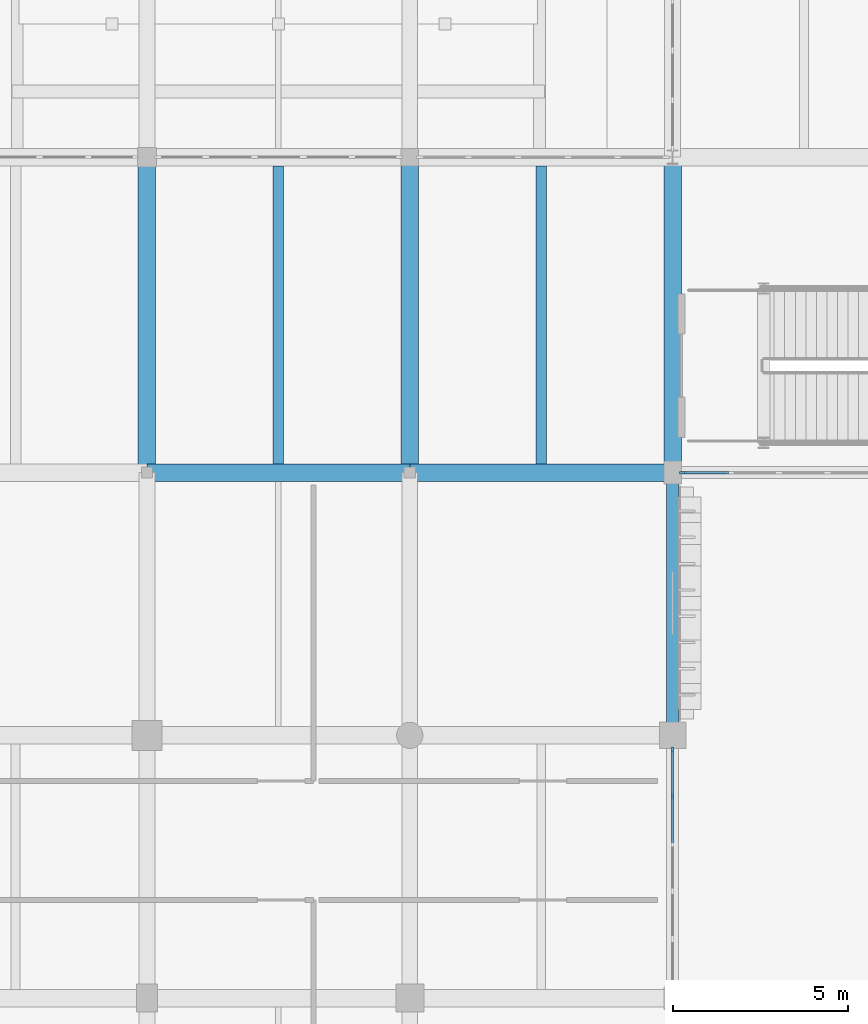
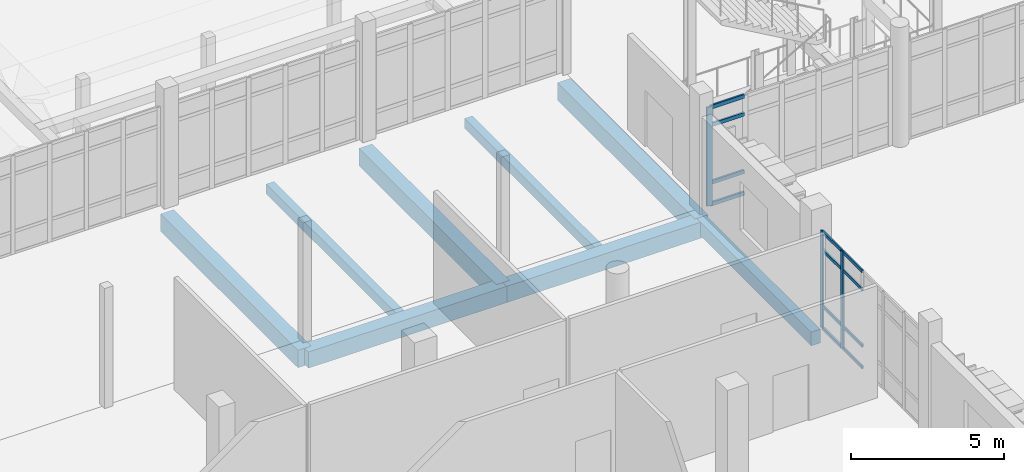
# One storey, part 20 of 125: 15 members, 8 beams, 2 elements without a shape of their own.
"""IFC4 building model written with IfcOpenShell, lengths in metres."""

from ifc_helpers import new_model, si_unit, direction, frame, origin, origin_2d, place, context, subcontext, project, spatial, rectangle, extrude, material, layer, layer_set, material_profile, profile_set, type_object, element, aggregate, save


model = new_model("IFC4")

# Units and contexts
model_context = context("Model", 3, precision=1e-05, world=origin(), true_north=direction((0.0, 1.0)))
body_context = subcontext(model_context, "Body", "Model", "MODEL_VIEW")
ifc_project = project(units=[si_unit("LENGTHUNIT", "METRE"), si_unit("AREAUNIT", "SQUARE_METRE"), si_unit("VOLUMEUNIT", "CUBIC_METRE"), si_unit("PLANEANGLEUNIT", "RADIAN"), si_unit("MASSUNIT", "GRAM", prefix="KILO")], contexts=[model_context])

# Site, building, storey
site_placement = place(None, origin())
site = spatial("IfcSite", under=ifc_project, at=site_placement, CompositionType="ELEMENT")
building_placement = place(site_placement, origin())
building = spatial("IfcBuilding", under=site, at=building_placement, Name="Dalvernix Boulevard General Hospital", CompositionType="ELEMENT")
storey_placement = place(building_placement, origin())
storey = spatial("IfcBuildingStorey", under=building, at=storey_placement, Name="L00", CompositionType="ELEMENT", Elevation=0.0)

# Beams
ifc_material_1 = material(Name="Concrete C35/45", Category="concrete")
ifc_material_profile_1 = material_profile(ifc_material_1, rectangle(XDim=0.5, YDim=0.699951171875, at=origin_2d()), Name="RCB 500x700")
ifc_profile_set_1 = profile_set([ifc_material_profile_1], Name="Concrete C35/45")
beam_type_1 = type_object("IfcBeamType", Name="BM-B-01-I", PredefinedType="BEAM", material=ifc_profile_set_1)
for number, where, z_axis, x_axis, name in (
    (1, (45.0, 22.5, -0.7099609375), (0.0, 1.0, 0.0), (-1.0, 0.0, 0.0), "L00 N-S girder 7:D-E"),
    (2, (52.5, 22.5, -0.7099609375), (0.0, 1.0, 0.0), (-1.0, 0.0, 0.0), "L00 N-S girder 8:D-E"),
    (3, (60.0, 22.5, -0.7099609375), (0.0, 1.0, 0.0), (-1.0, 0.0, 0.0), "L00 N-S girder 9:D-E"),
):
    element("IfcBeam", number, at=place(storey_placement, frame(where, z_axis=z_axis, x_axis=x_axis)), inside=storey, type_object=beam_type_1, Name=name, PredefinedType="BEAM", context=body_context, shape_type="SweptSolid", body=[
        extrude(rectangle(XDim=0.5, YDim=0.699951171875, at=origin_2d()), origin(), (0.0, 0.0, 1.0), 9.0),
    ])
ifc_material_profile_2 = material_profile(ifc_material_1, rectangle(XDim=0.5, YDim=0.64990234375, at=origin_2d()), Name="RCB 500x650")
ifc_profile_set_2 = profile_set([ifc_material_profile_2], Name="Concrete C35/45")
beam_type_2 = type_object("IfcBeamType", Name="BM-B-02-I", PredefinedType="BEAM", material=ifc_profile_set_2)
for number, where, z_axis, x_axis, name in (
    (4, (45.0, 22.5, -0.68505859375), (1.0, 0.0, 0.0), (0.0, 1.0, 0.0), "L00 E-W girder D:7-8"),
    (5, (52.5, 22.5, -0.68505859375), (1.0, 0.0, 0.0), (0.0, 1.0, 0.0), "L00 E-W girder D:8-9"),
):
    element("IfcBeam", number, at=place(storey_placement, frame(where, z_axis=z_axis, x_axis=x_axis)), inside=storey, type_object=beam_type_2, Name=name, PredefinedType="BEAM", context=body_context, shape_type="SweptSolid", body=[
        extrude(rectangle(XDim=0.5, YDim=0.64990234375, at=origin_2d()), origin(), (0.0, 0.0, 1.0), 7.5),
    ])
ifc_material_profile_3 = material_profile(ifc_material_1, rectangle(XDim=0.300048828125, YDim=0.39990234375, at=origin_2d()), Name="RCB 300x400")
ifc_profile_set_3 = profile_set([ifc_material_profile_3], Name="Concrete C35/45")
beam_type_3 = type_object("IfcBeamType", Name="BM-JB-01", PredefinedType="JOIST", material=ifc_profile_set_3)
for number, where, z_axis, x_axis, name in (
    (6, (48.75, 22.75, -0.56005859375), (0.0, 1.0, 0.0), (-1.0, 0.0, 0.0), "L00 secondary floor beam 7-D"),
    (7, (56.25, 22.75, -0.56005859375), (0.0, 1.0, 0.0), (-1.0, 0.0, 0.0), "L00 secondary floor beam 8-D"),
):
    element("IfcBeam", number, at=place(storey_placement, frame(where, z_axis=z_axis, x_axis=x_axis)), inside=storey, type_object=beam_type_3, Name=name, PredefinedType="JOIST", context=body_context, shape_type="SweptSolid", body=[
        extrude(rectangle(XDim=0.300048828125, YDim=0.39990234375, at=origin_2d()), origin(), (0.0, 0.0, 1.0), 8.5),
    ])
ifc_material_profile_4 = material_profile(ifc_material_1, rectangle(XDim=0.35009765625, YDim=0.550048828125, at=origin_2d()), Name="RCB 350x550")
ifc_profile_set_4 = profile_set([ifc_material_profile_4], Name="Concrete C35/45")
beam_type_4 = type_object("IfcBeamType", Name="BM-SB-01-E", PredefinedType="SPANDREL", material=ifc_profile_set_4)
beam_placement = place(storey_placement, frame((60.0, 15.0, -0.635009765625), z_axis=(0.0, 1.0, 0.0), x_axis=(-1.0, 0.0, 0.0)))
element("IfcBeam", 8, at=beam_placement, inside=storey, type_object=beam_type_4, Name="L00 N-S girder 9:C-D", PredefinedType="SPANDREL", context=body_context, shape_type="SweptSolid", body=[
    extrude(rectangle(XDim=0.35009765625, YDim=0.550048828125, at=origin_2d()), origin(), (0.0, 0.0, 1.0), 7.5),
])

# Curtain wall, members
ifc_material_2 = material(Name="Thermally broken aluminium and solar-control glass curtain wall", Category="aluminium")
ifc_layer_1 = layer(ifc_material_2, 0.159912109375)
ifc_layer_set_1 = layer_set([ifc_layer_1], Name="Thermally broken aluminium and solar-control glass curtain wall (CW-CW-A-68x39)")
curtain_wall_type_1 = type_object("IfcCurtainWallType", Name="CW-CW-A-68x39", PredefinedType="USERDEFINED", material=ifc_layer_set_1)
curtain_wall_1_placement = place(storey_placement, origin())
curtain_wall_1 = element("IfcCurtainWall", 9, at=curtain_wall_1_placement, inside=storey, type_object=curtain_wall_type_1, Name="L00 curtain wall CW-A-68x39 8-1", ObjectType="GLAZED FACADE", PredefinedType="USERDEFINED")
ifc_material_3 = material(Name="Aluminium EN AW-6060", Category="aluminium")
ifc_material_profile_5 = material_profile(ifc_material_3, rectangle(XDim=0.06005859375, YDim=0.159912109375, at=origin_2d()), Name="ALU MULL 60x160")
ifc_profile_set_5 = profile_set([ifc_material_profile_5], Name="Aluminium EN AW-6060")
member_type_1 = type_object("IfcMemberType", Name="MEM-CW-M1", PredefinedType="MULLION", material=ifc_profile_set_5)
member_1_placement = place(storey_placement, frame((60.0, 14.5849609375, 0.0), z_axis=(0.0, 0.0, 1.0), x_axis=(1.0, 0.0, 0.0)))
member_1 = element("IfcMember", 10, at=member_1_placement, type_object=member_type_1, Name="CW-A-68x39 mullion 1", PredefinedType="MULLION", context=body_context, shape_type="SweptSolid", body=[
    extrude(rectangle(XDim=0.06005859375, YDim=0.159912109375, at=origin_2d()), origin(), (0.0, 0.0, 1.0), 3.89990234375),
])
member_2_placement = place(storey_placement, frame((60.0, 13.259033203125, 0.0), z_axis=(0.0, 0.0, 1.0), x_axis=(1.0, 0.0, 0.0)))
member_2 = element("IfcMember", 11, at=member_2_placement, type_object=member_type_1, Name="CW-A-68x39 mullion 2", PredefinedType="MULLION", context=body_context, shape_type="SweptSolid", body=[
    extrude(rectangle(XDim=0.06005859375, YDim=0.159912109375, at=origin_2d()), origin(), (0.0, 0.0, 1.0), 3.89990234375),
])

# Curtain wall, member
ifc_layer_2 = layer(ifc_material_2, 0.199951171875)
ifc_layer_set_2 = layer_set([ifc_layer_2], Name="Thermally broken aluminium and solar-control glass curtain wall (CW-CW-C-69x40)")
curtain_wall_type_2 = type_object("IfcCurtainWallType", Name="CW-CW-C-69x40", PredefinedType="USERDEFINED", material=ifc_layer_set_2)
curtain_wall_2_placement = place(storey_placement, origin())
curtain_wall_2 = element("IfcCurtainWall", 12, at=curtain_wall_2_placement, inside=storey, type_object=curtain_wall_type_2, Name="L00 curtain wall CW-C-69x40 8-3", ObjectType="GLAZED FACADE", PredefinedType="USERDEFINED")
ifc_material_profile_6 = material_profile(ifc_material_3, rectangle(XDim=0.070068359375, YDim=0.199951171875, at=origin_2d()), Name="ALU MULL 70x200")
ifc_profile_set_6 = profile_set([ifc_material_profile_6], Name="Aluminium EN AW-6060")
member_type_2 = type_object("IfcMemberType", Name="MEM-CW-M3", PredefinedType="MULLION", material=ifc_profile_set_6)
member_3_placement = place(storey_placement, frame((60.294921875, 22.5, 0.0), z_axis=(0.0, 0.0, 1.0), x_axis=(0.0, -1.0, 0.0)))
member_3 = element("IfcMember", 13, at=member_3_placement, type_object=member_type_2, Name="CW-C-69x40 mullion 6", PredefinedType="MULLION", context=body_context, shape_type="SweptSolid", body=[
    extrude(rectangle(XDim=0.070068359375, YDim=0.199951171875, at=origin_2d()), origin(), (0.0, 0.0, 1.0), 3.949951171875),
])

# Member
ifc_material_profile_7 = material_profile(ifc_material_3, rectangle(XDim=0.06005859375, YDim=0.1201171875, at=origin_2d()), Name="ALU TRAN 60x120")
ifc_profile_set_7 = profile_set([ifc_material_profile_7], Name="Aluminium EN AW-6060")
member_type_3 = type_object("IfcMemberType", Name="MEM-CW-T1", PredefinedType="USERDEFINED", material=ifc_profile_set_7)
member_4_placement = place(storey_placement, frame((60.0, 14.554931640625, 0.030029296875), z_axis=(0.0, -1.0, 0.0), x_axis=(1.0, 0.0, 0.0)))
member_4 = element("IfcMember", 14, at=member_4_placement, type_object=member_type_3, Name="CW-A-68x39 transom 1.1", ObjectType="TRANSOM", PredefinedType="USERDEFINED", context=body_context, shape_type="SweptSolid", body=[
    extrude(rectangle(XDim=0.06005859375, YDim=0.1201171875, at=origin_2d()), origin(), (0.0, 0.0, 1.0), 1.265869140625),
])

member_5_placement = place(storey_placement, frame((60.0, 14.554931640625, 0.89990234375), z_axis=(0.0, -1.0, 0.0), x_axis=(1.0, 0.0, 0.0)))
member_5 = element("IfcMember", 15, at=member_5_placement, type_object=member_type_3, Name="CW-A-68x39 transom 1.2", ObjectType="TRANSOM", PredefinedType="USERDEFINED", context=body_context, shape_type="SweptSolid", body=[
    extrude(rectangle(XDim=0.06005859375, YDim=0.1201171875, at=origin_2d()), origin(), (0.0, 0.0, 1.0), 1.265869140625),
])

member_6_placement = place(storey_placement, frame((60.0, 14.554931640625, 3.14990234375), z_axis=(0.0, -1.0, 0.0), x_axis=(1.0, 0.0, 0.0)))
member_6 = element("IfcMember", 16, at=member_6_placement, type_object=member_type_3, Name="CW-A-68x39 transom 1.3", ObjectType="TRANSOM", PredefinedType="USERDEFINED", context=body_context, shape_type="SweptSolid", body=[
    extrude(rectangle(XDim=0.06005859375, YDim=0.1201171875, at=origin_2d()), origin(), (0.0, 0.0, 1.0), 1.265869140625),
])

member_7_placement = place(storey_placement, frame((60.0, 14.554931640625, 3.8701171875), z_axis=(0.0, -1.0, 0.0), x_axis=(1.0, 0.0, 0.0)))
member_7 = element("IfcMember", 17, at=member_7_placement, type_object=member_type_3, Name="CW-A-68x39 transom 1.4", ObjectType="TRANSOM", PredefinedType="USERDEFINED", context=body_context, shape_type="SweptSolid", body=[
    extrude(rectangle(XDim=0.06005859375, YDim=0.1201171875, at=origin_2d()), origin(), (0.0, 0.0, 1.0), 1.265869140625),
])

member_8_placement = place(storey_placement, frame((60.0, 13.22900390625, 0.030029296875), z_axis=(0.0, -1.0, 0.0), x_axis=(1.0, 0.0, 0.0)))
member_8 = element("IfcMember", 18, at=member_8_placement, type_object=member_type_3, Name="CW-A-68x39 transom 2.1", ObjectType="TRANSOM", PredefinedType="USERDEFINED", context=body_context, shape_type="SweptSolid", body=[
    extrude(rectangle(XDim=0.06005859375, YDim=0.1201171875, at=origin_2d()), origin(), (0.0, 0.0, 1.0), 1.2958984375),
])

member_9_placement = place(storey_placement, frame((60.0, 13.22900390625, 0.89990234375), z_axis=(0.0, -1.0, 0.0), x_axis=(1.0, 0.0, 0.0)))
member_9 = element("IfcMember", 19, at=member_9_placement, type_object=member_type_3, Name="CW-A-68x39 transom 2.2", ObjectType="TRANSOM", PredefinedType="USERDEFINED", context=body_context, shape_type="SweptSolid", body=[
    extrude(rectangle(XDim=0.06005859375, YDim=0.1201171875, at=origin_2d()), origin(), (0.0, 0.0, 1.0), 1.2958984375),
])

member_10_placement = place(storey_placement, frame((60.0, 13.22900390625, 3.14990234375), z_axis=(0.0, -1.0, 0.0), x_axis=(1.0, 0.0, 0.0)))
member_10 = element("IfcMember", 20, at=member_10_placement, type_object=member_type_3, Name="CW-A-68x39 transom 2.3", ObjectType="TRANSOM", PredefinedType="USERDEFINED", context=body_context, shape_type="SweptSolid", body=[
    extrude(rectangle(XDim=0.06005859375, YDim=0.1201171875, at=origin_2d()), origin(), (0.0, 0.0, 1.0), 1.2958984375),
])

member_11_placement = place(storey_placement, frame((60.0, 13.22900390625, 3.8701171875), z_axis=(0.0, -1.0, 0.0), x_axis=(1.0, 0.0, 0.0)))
member_11 = element("IfcMember", 21, at=member_11_placement, type_object=member_type_3, Name="CW-A-68x39 transom 2.4", ObjectType="TRANSOM", PredefinedType="USERDEFINED", context=body_context, shape_type="SweptSolid", body=[
    extrude(rectangle(XDim=0.06005859375, YDim=0.1201171875, at=origin_2d()), origin(), (0.0, 0.0, 1.0), 1.2958984375),
])

aggregate(curtain_wall_1, [member_1, member_2, member_4, member_5, member_6, member_7, member_8, member_9, member_10, member_11])

ifc_material_profile_8 = material_profile(ifc_material_3, rectangle(XDim=0.070068359375, YDim=0.14990234375, at=origin_2d()), Name="ALU TRAN 70x150")
ifc_profile_set_8 = profile_set([ifc_material_profile_8], Name="Aluminium EN AW-6060")
member_type_4 = type_object("IfcMemberType", Name="MEM-CW-T3", PredefinedType="USERDEFINED", material=ifc_profile_set_8)
member_12_placement = place(storey_placement, frame((61.611083984375, 22.5, 0.034912109375), z_axis=(-1.0, 0.0, 0.0), x_axis=(0.0, -1.0, 0.0)))
member_12 = element("IfcMember", 22, at=member_12_placement, type_object=member_type_4, Name="CW-C-69x40 transom 5.1", ObjectType="TRANSOM", PredefinedType="USERDEFINED", context=body_context, shape_type="SweptSolid", body=[
    extrude(rectangle(XDim=0.070068359375, YDim=0.14990234375, at=origin_2d()), origin(), (0.0, 0.0, 1.0), 1.281005859375),
])

member_13_placement = place(storey_placement, frame((61.611083984375, 22.5, 0.89990234375), z_axis=(-1.0, 0.0, 0.0), x_axis=(0.0, -1.0, 0.0)))
member_13 = element("IfcMember", 23, at=member_13_placement, type_object=member_type_4, Name="CW-C-69x40 transom 5.2", ObjectType="TRANSOM", PredefinedType="USERDEFINED", context=body_context, shape_type="SweptSolid", body=[
    extrude(rectangle(XDim=0.070068359375, YDim=0.14990234375, at=origin_2d()), origin(), (0.0, 0.0, 1.0), 1.281005859375),
])

member_14_placement = place(storey_placement, frame((61.611083984375, 22.5, 3.199951171875), z_axis=(-1.0, 0.0, 0.0), x_axis=(0.0, -1.0, 0.0)))
member_14 = element("IfcMember", 24, at=member_14_placement, type_object=member_type_4, Name="CW-C-69x40 transom 5.3", ObjectType="TRANSOM", PredefinedType="USERDEFINED", context=body_context, shape_type="SweptSolid", body=[
    extrude(rectangle(XDim=0.070068359375, YDim=0.14990234375, at=origin_2d()), origin(), (0.0, 0.0, 1.0), 1.281005859375),
])

member_15_placement = place(storey_placement, frame((61.611083984375, 22.5, 3.9150390625), z_axis=(-1.0, 0.0, 0.0), x_axis=(0.0, -1.0, 0.0)))
member_15 = element("IfcMember", 25, at=member_15_placement, type_object=member_type_4, Name="CW-C-69x40 transom 5.4", ObjectType="TRANSOM", PredefinedType="USERDEFINED", context=body_context, shape_type="SweptSolid", body=[
    extrude(rectangle(XDim=0.070068359375, YDim=0.14990234375, at=origin_2d()), origin(), (0.0, 0.0, 1.0), 1.281005859375),
])

aggregate(curtain_wall_2, [member_3, member_12, member_13, member_14, member_15])

save(model, "model.ifc")
